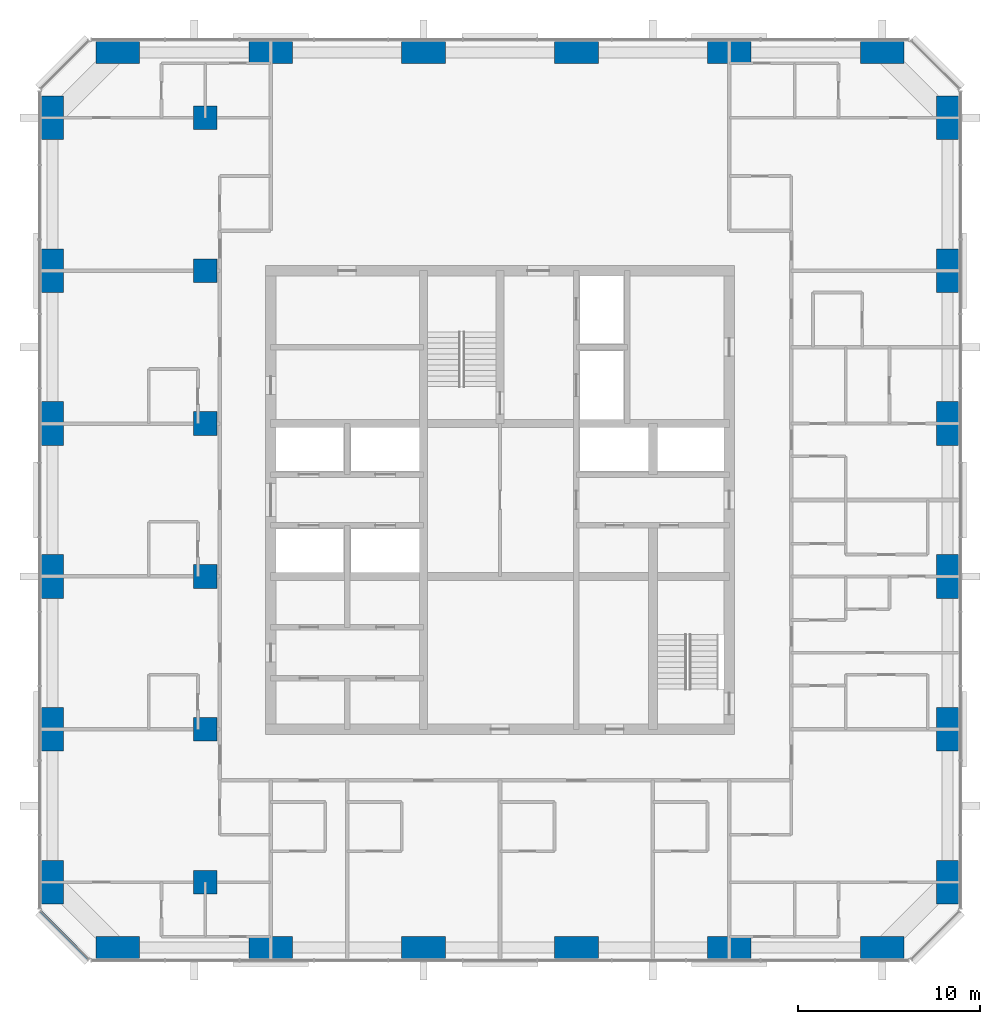
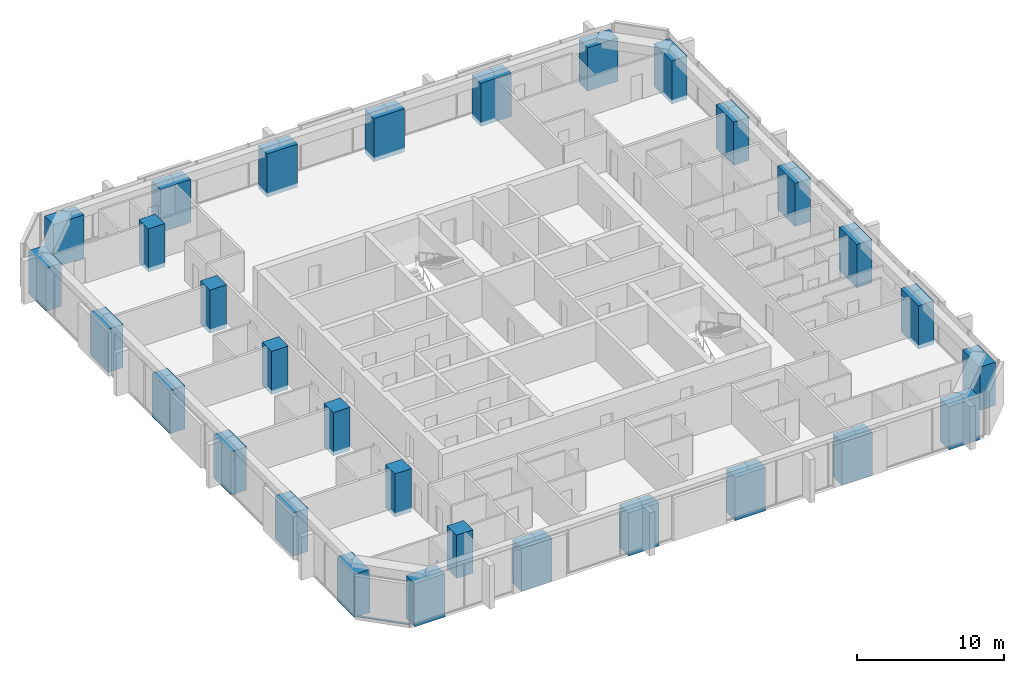
# One storey, part 1 of 13: 30 columns, 1 member, 1 element without a shape of its own.
"""IFC4 building model written with IfcOpenShell, lengths in metres."""

from ifc_helpers import new_model, si_unit, direction, frame, origin, origin_2d, place, context, subcontext, project, spatial, rectangle, extrude, material, material_profile, profile_set, type_object, element, aggregate, save


model = new_model("IFC4")

# Units and contexts
model_context = context("Model", 3, precision=1e-05, world=origin(), true_north=direction((0.0, 1.0)))
body_context = subcontext(model_context, "Body", "Model", "MODEL_VIEW")
ifc_project = project(units=[si_unit("LENGTHUNIT", "METRE"), si_unit("AREAUNIT", "SQUARE_METRE"), si_unit("VOLUMEUNIT", "CUBIC_METRE"), si_unit("PLANEANGLEUNIT", "RADIAN"), si_unit("MASSUNIT", "GRAM", prefix="KILO")], contexts=[model_context])

# Site, building, storey
site_placement = place(None, origin())
site = spatial("IfcSite", under=ifc_project, at=site_placement, CompositionType="ELEMENT")
building_placement = place(site_placement, origin())
building = spatial("IfcBuilding", under=site, at=building_placement, Name="Dunama Terrace Hotel", CompositionType="ELEMENT")
storey_placement = place(building_placement, frame((0.0, 0.0, 195.0)))
storey = spatial("IfcBuildingStorey", under=building, at=storey_placement, Name="L50", CompositionType="ELEMENT", Elevation=195.0)

# Columns
ifc_material_1 = material(Name="Concrete C60/75", Category="concrete")
ifc_material_profile_1 = material_profile(ifc_material_1, rectangle(XDim=1.199951171875, YDim=2.39990234375, at=origin_2d()), Name="RC 1200x2400")
ifc_profile_set_1 = profile_set([ifc_material_profile_1], Name="Concrete C60/75")
column_type_1 = type_object("IfcColumnType", Name="Column RC 1200x2400", PredefinedType="COLUMN", material=ifc_profile_set_1)
for number, where, z_axis, x_axis, name in (
    (1, (4.800048828125, 8.39990234375, -0.35009765625), (0.0, 0.0, 1.0), (1.0, 0.0, 0.0), "Column L50 +4.8/+8.4"),
    (2, (4.800048828125, 16.800048828125, -0.35009765625), (0.0, 0.0, 1.0), (1.0, 0.0, 0.0), "Column L50 +4.8/+16.8"),
    (3, (4.800048828125, 25.199951171875, -0.35009765625), (0.0, 0.0, 1.0), (1.0, 0.0, 0.0), "Column L50 +4.8/+25.2"),
    (4, (4.800048828125, 33.60009765625, -0.35009765625), (0.0, 0.0, 1.0), (1.0, 0.0, 0.0), "Column L50 +4.8/+33.6"),
    (5, (4.800048828125, 42.0, -0.35009765625), (0.0, 0.0, 1.0), (1.0, 0.0, 0.0), "Column L50 +4.8/+42.0"),
    (6, (4.800048828125, 50.39990234375, -0.35009765625), (0.0, 0.0, 1.0), (1.0, 0.0, 0.0), "Column L50 +4.8/+50.4"),
    (7, (54.0, 8.39990234375, -0.35009765625), (0.0, 0.0, 1.0), (1.0, 0.0, 0.0), "Column L50 +54.0/+8.4"),
    (8, (54.0, 16.800048828125, -0.35009765625), (0.0, 0.0, 1.0), (1.0, 0.0, 0.0), "Column L50 +54.0/+16.8"),
    (9, (54.0, 25.199951171875, -0.35009765625), (0.0, 0.0, 1.0), (1.0, 0.0, 0.0), "Column L50 +54.0/+25.2"),
    (10, (54.0, 33.60009765625, -0.35009765625), (0.0, 0.0, 1.0), (1.0, 0.0, 0.0), "Column L50 +54.0/+33.6"),
    (11, (54.0, 42.0, -0.35009765625), (0.0, 0.0, 1.0), (1.0, 0.0, 0.0), "Column L50 +54.0/+42.0"),
    (12, (54.0, 50.39990234375, -0.35009765625), (0.0, 0.0, 1.0), (1.0, 0.0, 0.0), "Column L50 +54.0/+50.4"),
):
    element("IfcColumn", number, at=place(storey_placement, frame(where, z_axis=z_axis, x_axis=x_axis)), inside=storey, type_object=column_type_1, Name=name, PredefinedType="COLUMN", context=body_context, shape_type="SweptSolid", body=[
        extrude(rectangle(XDim=1.199951171875, YDim=2.39990234375, at=origin_2d()), origin(), (0.0, 0.0, 1.0), 3.60009765625),
    ])
ifc_material_2 = material(Name="Concrete C60/75", Category="concrete")
ifc_material_profile_2 = material_profile(ifc_material_2, rectangle(XDim=1.300048828125, YDim=1.300048828125, at=origin_2d()), Name="RC 1300x1300")
ifc_profile_set_2 = profile_set([ifc_material_profile_2], Name="Concrete C60/75")
column_type_2 = type_object("IfcColumnType", Name="Column RC 1300x1300", PredefinedType="COLUMN", material=ifc_profile_set_2)
for number, where, z_axis, x_axis, name in (
    (13, (13.199951171875, 8.39990234375, -0.35009765625), (0.0, 0.0, 1.0), (1.0, 0.0, 0.0), "Column L50 +13.2/+8.4"),
    (14, (13.199951171875, 16.800048828125, -0.35009765625), (0.0, 0.0, 1.0), (1.0, 0.0, 0.0), "Column L50 +13.2/+16.8"),
    (15, (13.199951171875, 25.199951171875, -0.35009765625), (0.0, 0.0, 1.0), (1.0, 0.0, 0.0), "Column L50 +13.2/+25.2"),
    (16, (13.199951171875, 33.60009765625, -0.35009765625), (0.0, 0.0, 1.0), (1.0, 0.0, 0.0), "Column L50 +13.2/+33.6"),
    (17, (13.199951171875, 42.0, -0.35009765625), (0.0, 0.0, 1.0), (1.0, 0.0, 0.0), "Column L50 +13.2/+42.0"),
    (18, (13.199951171875, 50.39990234375, -0.35009765625), (0.0, 0.0, 1.0), (1.0, 0.0, 0.0), "Column L50 +13.2/+50.4"),
):
    element("IfcColumn", number, at=place(storey_placement, frame(where, z_axis=z_axis, x_axis=x_axis)), inside=storey, type_object=column_type_2, Name=name, PredefinedType="COLUMN", context=body_context, shape_type="SweptSolid", body=[
        extrude(rectangle(XDim=1.300048828125, YDim=1.300048828125, at=origin_2d()), origin(), (0.0, 0.0, 1.0), 3.60009765625),
    ])
ifc_material_3 = material(Name="Concrete C60/75", Category="concrete")
ifc_material_profile_3 = material_profile(ifc_material_3, rectangle(XDim=2.39990234375, YDim=1.199951171875, at=origin_2d()), Name="RC 2400x1200")
ifc_profile_set_3 = profile_set([ifc_material_profile_3], Name="Concrete C60/75")
column_type_3 = type_object("IfcColumnType", Name="Column RC 2400x1200", PredefinedType="COLUMN", material=ifc_profile_set_3)
for number, where, z_axis, x_axis, name in (
    (19, (8.39990234375, 4.800048828125, -0.35009765625), (0.0, 0.0, 1.0), (1.0, 0.0, 0.0), "Column L50 +8.4/+4.8"),
    (20, (8.39990234375, 54.0, -0.35009765625), (0.0, 0.0, 1.0), (1.0, 0.0, 0.0), "Column L50 +8.4/+54.0"),
    (21, (16.800048828125, 4.800048828125, -0.35009765625), (0.0, 0.0, 1.0), (1.0, 0.0, 0.0), "Column L50 +16.8/+4.8"),
    (22, (16.800048828125, 54.0, -0.35009765625), (0.0, 0.0, 1.0), (1.0, 0.0, 0.0), "Column L50 +16.8/+54.0"),
    (23, (25.199951171875, 4.800048828125, -0.35009765625), (0.0, 0.0, 1.0), (1.0, 0.0, 0.0), "Column L50 +25.2/+4.8"),
    (24, (25.199951171875, 54.0, -0.35009765625), (0.0, 0.0, 1.0), (1.0, 0.0, 0.0), "Column L50 +25.2/+54.0"),
    (25, (33.60009765625, 4.800048828125, -0.35009765625), (0.0, 0.0, 1.0), (1.0, 0.0, 0.0), "Column L50 +33.6/+4.8"),
    (26, (33.60009765625, 54.0, -0.35009765625), (0.0, 0.0, 1.0), (1.0, 0.0, 0.0), "Column L50 +33.6/+54.0"),
    (27, (42.0, 4.800048828125, -0.35009765625), (0.0, 0.0, 1.0), (1.0, 0.0, 0.0), "Column L50 +42.0/+4.8"),
    (28, (42.0, 54.0, -0.35009765625), (0.0, 0.0, 1.0), (1.0, 0.0, 0.0), "Column L50 +42.0/+54.0"),
    (29, (50.39990234375, 4.800048828125, -0.35009765625), (0.0, 0.0, 1.0), (1.0, 0.0, 0.0), "Column L50 +50.4/+4.8"),
    (30, (50.39990234375, 54.0, -0.35009765625), (0.0, 0.0, 1.0), (1.0, 0.0, 0.0), "Column L50 +50.4/+54.0"),
):
    element("IfcColumn", number, at=place(storey_placement, frame(where, z_axis=z_axis, x_axis=x_axis)), inside=storey, type_object=column_type_3, Name=name, PredefinedType="COLUMN", context=body_context, shape_type="SweptSolid", body=[
        extrude(rectangle(XDim=2.39990234375, YDim=1.199951171875, at=origin_2d()), origin(), (0.0, 0.0, 1.0), 3.60009765625),
    ])

# Curtain wall, member
ifc_material_4 = material(Name="Aluminium curtain wall system", Category="aluminium")
curtain_wall_type = type_object("IfcCurtainWallType", Name="Unitised fritted glass wall CW-C", PredefinedType="NOTDEFINED", material=ifc_material_4)
curtain_wall_placement = place(storey_placement, origin())
curtain_wall = element("IfcCurtainWall", 31, at=curtain_wall_placement, inside=storey, type_object=curtain_wall_type, Name="Unitised fritted glass wall CW-C L50", PredefinedType="NOTDEFINED")
ifc_material_5 = material(Name="Aluminium transom", Category="aluminium")
ifc_material_profile_4 = material_profile(ifc_material_5, rectangle(XDim=0.159912109375, YDim=0.080078125, at=origin_2d()), Name="CWC TRANSOM 160X80")
ifc_profile_set_4 = profile_set([ifc_material_profile_4], Name="Aluminium transom")
member_type = type_object("IfcMemberType", Name="CWC transom 160x80", PredefinedType="USERDEFINED", material=ifc_profile_set_4)
member_placement = place(storey_placement, frame((4.178955078125, 6.780029296875, 0.0400390625), z_axis=(0.707106781187, -0.707106781187, 0.0), x_axis=(0.707106781187, 0.707106781187, 0.0)))
member = element("IfcMember", 32, at=member_placement, type_object=member_type, Name="CWC transom", ObjectType="TRANSOM", PredefinedType="USERDEFINED", context=body_context, shape_type="SweptSolid", body=[
    extrude(rectangle(XDim=0.159912109375, YDim=0.080078125, at=origin_2d()), origin(), (0.0, 0.0, 1.0), 3.678466796875),
])
aggregate(curtain_wall, [member])

save(model, "model.ifc")
